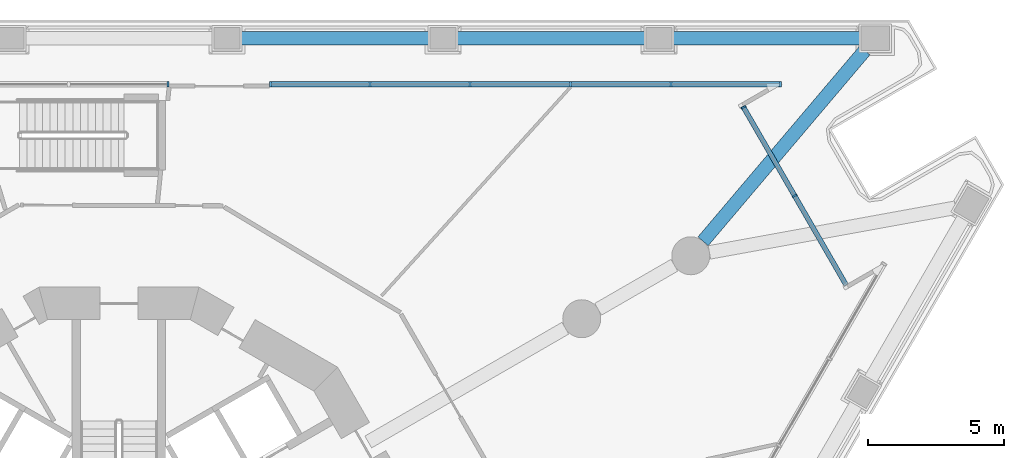
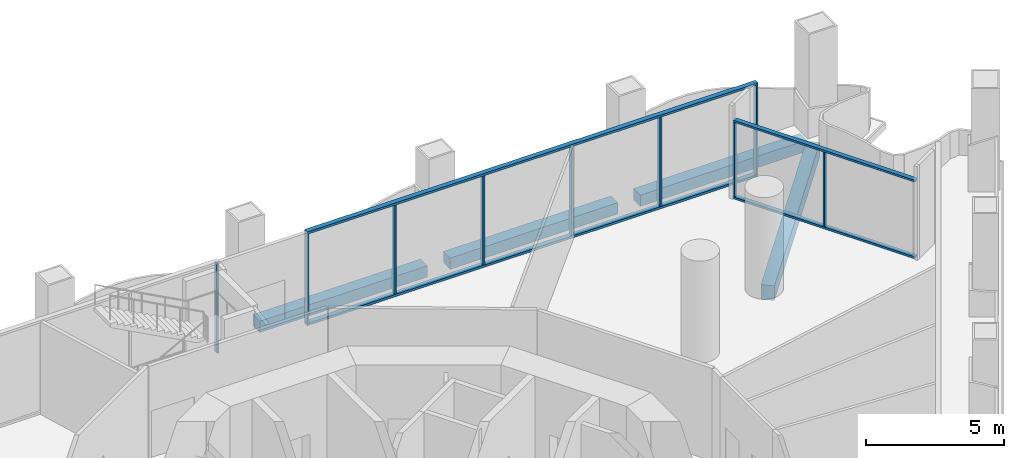
# One storey, part 8 of 22: 13 members, 4 beams, 3 elements without a shape of their own.
"""IFC4 building model written with IfcOpenShell, lengths in metres."""

from ifc_helpers import new_model, si_unit, direction, frame, origin, origin_2d, place, context, subcontext, project, spatial, rectangle, extrude, material, layer, layer_set, material_profile, profile_set, type_object, element, aggregate, save


model = new_model("IFC4")

# Units and contexts
model_context = context("Model", 3, precision=1e-05, world=origin(), true_north=direction((0.0, 1.0)))
body_context = subcontext(model_context, "Body", "Model", "MODEL_VIEW")
ifc_project = project(units=[si_unit("LENGTHUNIT", "METRE"), si_unit("AREAUNIT", "SQUARE_METRE"), si_unit("VOLUMEUNIT", "CUBIC_METRE"), si_unit("PLANEANGLEUNIT", "RADIAN"), si_unit("MASSUNIT", "GRAM", prefix="KILO")], contexts=[model_context])

# Site, building, storey
site_placement = place(None, origin())
site = spatial("IfcSite", under=ifc_project, at=site_placement, CompositionType="ELEMENT")
building_placement = place(site_placement, origin())
building = spatial("IfcBuilding", under=site, at=building_placement, Name="Trine Commons Tower", CompositionType="ELEMENT")
storey_placement = place(building_placement, frame((0.0, 0.0, 22.5)))
storey = spatial("IfcBuildingStorey", under=building, at=storey_placement, Name="L04", CompositionType="ELEMENT", Elevation=22.5)

# Curtain wall, members
ifc_material_1 = material(Name="Corner pocket glazing: anodised aluminium frame with low-emissivity double glazed unit, laminated", Category="aluminium")
ifc_layer_1 = layer(ifc_material_1, 0.179931640625)
ifc_layer_set_1 = layer_set([ifc_layer_1], Name="Corner pocket glazing: anodised aluminium frame with low-emissivity double glazed unit, laminated")
curtain_wall_type_1 = type_object("IfcCurtainWallType", Name="Corner pocket glazing curtain wall CW8", PredefinedType="NOTDEFINED", material=ifc_layer_set_1)
curtain_wall_1_placement = place(storey_placement, origin())
curtain_wall_1 = element("IfcCurtainWall", 1, at=curtain_wall_1_placement, inside=storey, type_object=curtain_wall_type_1, Name="Corner pocket glazing L04 P2.1", PredefinedType="NOTDEFINED")
ifc_material_2 = material(Name="Anodised aluminium, bronze finish", Category="aluminium")
ifc_material_profile_1 = material_profile(ifc_material_2, rectangle(XDim=0.179931640625, YDim=0.06494140625, at=origin_2d()), Name="Mullion 65x180")
ifc_profile_set_1 = profile_set([ifc_material_profile_1], Name="Anodised aluminium, bronze finish")
member_type_1 = type_object("IfcMemberType", Name="Mullion 65x180, Anodised aluminium, bronze finish", PredefinedType="MULLION", material=ifc_profile_set_1)
member_1_placement = place(storey_placement, frame((103.0224609375, 80.142333984375, 0.090087890625), z_axis=(0.0, 0.0, 1.0), x_axis=(0.866025403784, 0.5, 0.0)))
member_1 = element("IfcMember", 2, at=member_1_placement, type_object=member_type_1, Name="CW8 mullion 1.1", PredefinedType="MULLION", context=body_context, shape_type="SweptSolid", body=[
    extrude(rectangle(XDim=0.179931640625, YDim=0.06494140625, at=origin_2d()), origin(), (0.0, 0.0, 1.0), 3.2998046875),
])
member_2_placement = place(storey_placement, frame((104.90625, 76.879638671875, 0.090087890625), z_axis=(0.0, 0.0, 1.0), x_axis=(0.866025403784, 0.5, 0.0)))
member_2 = element("IfcMember", 3, at=member_2_placement, type_object=member_type_1, Name="CW8 mullion 2.1", PredefinedType="MULLION", context=body_context, shape_type="SweptSolid", body=[
    extrude(rectangle(XDim=0.179931640625, YDim=0.06494140625, at=origin_2d()), origin(), (0.0, 0.0, 1.0), 3.2998046875),
])

# Curtain wall, member
ifc_material_3 = material(Name="Podium glazing: anodised aluminium frame with low-emissivity double glazed unit", Category="aluminium")
ifc_layer_2 = layer(ifc_material_3, 0.199951171875)
ifc_layer_set_2 = layer_set([ifc_layer_2], Name="Podium glazing: anodised aluminium frame with low-emissivity double glazed unit")
curtain_wall_type_2 = type_object("IfcCurtainWallType", Name="Podium glazing curtain wall CW3", PredefinedType="NOTDEFINED", material=ifc_layer_set_2)
curtain_wall_2_placement = place(storey_placement, origin())
curtain_wall_2 = element("IfcCurtainWall", 4, at=curtain_wall_2_placement, inside=storey, type_object=curtain_wall_type_2, Name="Podium glazing L04 F1.1", PredefinedType="NOTDEFINED")
ifc_material_profile_2 = material_profile(ifc_material_2, rectangle(XDim=0.199951171875, YDim=0.074951171875, at=origin_2d()), Name="Mullion 75x200")
ifc_profile_set_2 = profile_set([ifc_material_profile_2], Name="Anodised aluminium, bronze finish")
member_type_2 = type_object("IfcMemberType", Name="Mullion 75x200, Anodised aluminium, bronze finish", PredefinedType="MULLION", material=ifc_profile_set_2)
member_3_placement = place(storey_placement, frame((81.811767578125, 80.984619140625, 0.10009765625), z_axis=(0.0, 0.0, 1.0), x_axis=(0.0, 1.0, 0.0)))
member_3 = element("IfcMember", 5, at=member_3_placement, type_object=member_type_2, Name="CW3 mullion 8.1", PredefinedType="MULLION", context=body_context, shape_type="SweptSolid", body=[
    extrude(rectangle(XDim=0.199951171875, YDim=0.074951171875, at=origin_2d()), origin(), (0.0, 0.0, 1.0), 3.949951171875),
])
aggregate(curtain_wall_2, [member_3])

# Curtain wall, members
curtain_wall_3_placement = place(storey_placement, origin())
curtain_wall_3 = element("IfcCurtainWall", 6, at=curtain_wall_3_placement, inside=storey, type_object=curtain_wall_type_2, Name="Podium glazing L04 F1.2", PredefinedType="NOTDEFINED")
member_4_placement = place(storey_placement, frame((85.585693359375, 80.984619140625, 0.10009765625), z_axis=(0.0, 0.0, 1.0), x_axis=(0.0, 1.0, 0.0)))
member_4 = element("IfcMember", 7, at=member_4_placement, type_object=member_type_2, Name="CW3 mullion 1.1", PredefinedType="MULLION", context=body_context, shape_type="SweptSolid", body=[
    extrude(rectangle(XDim=0.199951171875, YDim=0.074951171875, at=origin_2d()), origin(), (0.0, 0.0, 1.0), 3.949951171875),
])
member_5_placement = place(storey_placement, frame((89.2470703125, 80.984619140625, 0.10009765625), z_axis=(0.0, 0.0, 1.0), x_axis=(0.0, 1.0, 0.0)))
member_5 = element("IfcMember", 8, at=member_5_placement, type_object=member_type_2, Name="CW3 mullion 2.1", PredefinedType="MULLION", context=body_context, shape_type="SweptSolid", body=[
    extrude(rectangle(XDim=0.199951171875, YDim=0.074951171875, at=origin_2d()), origin(), (0.0, 0.0, 1.0), 3.949951171875),
])
member_6_placement = place(storey_placement, frame((92.94580078125, 80.984619140625, 0.10009765625), z_axis=(0.0, 0.0, 1.0), x_axis=(0.0, 1.0, 0.0)))
member_6 = element("IfcMember", 9, at=member_6_placement, type_object=member_type_2, Name="CW3 mullion 3.1", PredefinedType="MULLION", context=body_context, shape_type="SweptSolid", body=[
    extrude(rectangle(XDim=0.199951171875, YDim=0.074951171875, at=origin_2d()), origin(), (0.0, 0.0, 1.0), 3.949951171875),
])
member_7_placement = place(storey_placement, frame((96.644775390625, 80.984619140625, 0.10009765625), z_axis=(0.0, 0.0, 1.0), x_axis=(0.0, 1.0, 0.0)))
member_7 = element("IfcMember", 10, at=member_7_placement, type_object=member_type_2, Name="CW3 mullion 4.1", PredefinedType="MULLION", context=body_context, shape_type="SweptSolid", body=[
    extrude(rectangle(XDim=0.199951171875, YDim=0.074951171875, at=origin_2d()), origin(), (0.0, 0.0, 1.0), 3.949951171875),
])
member_8_placement = place(storey_placement, frame((100.34375, 80.984619140625, 0.10009765625), z_axis=(0.0, 0.0, 1.0), x_axis=(0.0, 1.0, 0.0)))
member_8 = element("IfcMember", 11, at=member_8_placement, type_object=member_type_2, Name="CW3 mullion 5.1", PredefinedType="MULLION", context=body_context, shape_type="SweptSolid", body=[
    extrude(rectangle(XDim=0.199951171875, YDim=0.074951171875, at=origin_2d()), origin(), (0.0, 0.0, 1.0), 3.949951171875),
])
member_9_placement = place(storey_placement, frame((104.37890625, 80.984619140625, 0.10009765625), z_axis=(0.0, 0.0, 1.0), x_axis=(0.0, 1.0, 0.0)))
member_9 = element("IfcMember", 12, at=member_9_placement, type_object=member_type_2, Name="CW3 mullion 6.1", PredefinedType="MULLION", context=body_context, shape_type="SweptSolid", body=[
    extrude(rectangle(XDim=0.199951171875, YDim=0.074951171875, at=origin_2d()), origin(), (0.0, 0.0, 1.0), 3.949951171875),
])

# Beams
ifc_material_4 = material(Name="Concrete C50/60", Category="concrete")
ifc_material_profile_3 = material_profile(ifc_material_4, rectangle(XDim=0.5, YDim=0.5, at=origin_2d()), Name="RC 500x500")
ifc_profile_set_3 = profile_set([ifc_material_profile_3], Name="Concrete C50/60")
beam_type_1 = type_object("IfcBeamType", Name="RC beam 500x500, C50/60", PredefinedType="BEAM", material=ifc_profile_set_3)
beam_1_placement = place(storey_placement, frame((84.456787109375, 82.6845703125, -0.60009765625), z_axis=(1.0, 0.0, 0.0), x_axis=(0.0, 1.0, 0.0)))
element("IfcBeam", 13, at=beam_1_placement, inside=storey, type_object=beam_type_1, Name="Beam EB1-12 L04", PredefinedType="BEAM", context=body_context, shape_type="SweptSolid", body=[
    extrude(rectangle(XDim=0.5, YDim=0.5, at=origin_2d()), origin(), (0.0, 0.0, 1.0), 7.013427734375),
])
beam_2_placement = place(storey_placement, frame((92.420166015625, 82.6845703125, -0.60009765625), z_axis=(1.0, 0.0, 0.0), x_axis=(0.0, 1.0, 0.0)))
element("IfcBeam", 14, at=beam_2_placement, inside=storey, type_object=beam_type_1, Name="Beam EB1-13 L04", PredefinedType="BEAM", context=body_context, shape_type="SweptSolid", body=[
    extrude(rectangle(XDim=0.5, YDim=0.5, at=origin_2d()), origin(), (0.0, 0.0, 1.0), 7.01318359375),
])
beam_3_placement = place(storey_placement, frame((100.38330078125, 82.6845703125, -0.60009765625), z_axis=(1.0, 0.0, 0.0), x_axis=(0.0, 1.0, 0.0)))
element("IfcBeam", 15, at=beam_3_placement, inside=storey, type_object=beam_type_1, Name="Beam EB1-14 L04", PredefinedType="BEAM", context=body_context, shape_type="SweptSolid", body=[
    extrude(rectangle(XDim=0.5, YDim=0.5, at=origin_2d()), origin(), (0.0, 0.0, 1.0), 6.96337890625),
])
ifc_material_profile_4 = material_profile(ifc_material_4, rectangle(XDim=0.5, YDim=0.64990234375, at=origin_2d()), Name="RC 500x650")
ifc_profile_set_4 = profile_set([ifc_material_profile_4], Name="Concrete C50/60")
beam_type_2 = type_object("IfcBeamType", Name="RC beam 500x650, C50/60", PredefinedType="BEAM", material=ifc_profile_set_4)
beam_4_placement = place(storey_placement, frame((107.490478515625, 82.234619140625, -0.675048828125), z_axis=(-0.646611559024, -0.762819435867, 0.0), x_axis=(0.762819435867, -0.646611559024, 0.0)))
element("IfcBeam", 16, at=beam_4_placement, inside=storey, type_object=beam_type_2, Name="Beam CB1-03 L04", PredefinedType="BEAM", context=body_context, shape_type="SweptSolid", body=[
    extrude(rectangle(XDim=0.5, YDim=0.64990234375, at=origin_2d()), origin(), (0.0, 0.0, 1.0), 9.21875),
])

# Member
ifc_material_profile_5 = material_profile(ifc_material_2, rectangle(XDim=0.199951171875, YDim=0.10009765625, at=origin_2d()), Name="Transom 100x200")
ifc_profile_set_5 = profile_set([ifc_material_profile_5], Name="Anodised aluminium, bronze finish")
member_type_3 = type_object("IfcMemberType", Name="Transom 100x200, Anodised aluminium, bronze finish", PredefinedType="USERDEFINED", material=ifc_profile_set_5)
member_10_placement = place(storey_placement, frame((85.548095703125, 80.984619140625, 0.050048828125), z_axis=(1.0, 0.0, 0.0), x_axis=(0.0, 1.0, 0.0)))
member_10 = element("IfcMember", 17, at=member_10_placement, type_object=member_type_3, Name="CW3 transom T00", ObjectType="TRANSOM", PredefinedType="USERDEFINED", context=body_context, shape_type="SweptSolid", body=[
    extrude(rectangle(XDim=0.199951171875, YDim=0.10009765625, at=origin_2d()), origin(), (0.0, 0.0, 1.0), 18.8681640625),
])

member_11_placement = place(storey_placement, frame((85.548095703125, 80.984619140625, 4.10009765625), z_axis=(1.0, 0.0, 0.0), x_axis=(0.0, 1.0, 0.0)))
member_11 = element("IfcMember", 18, at=member_11_placement, type_object=member_type_3, Name="CW3 transom TH00", ObjectType="TRANSOM", PredefinedType="USERDEFINED", context=body_context, shape_type="SweptSolid", body=[
    extrude(rectangle(XDim=0.199951171875, YDim=0.10009765625, at=origin_2d()), origin(), (0.0, 0.0, 1.0), 18.8681640625),
])

aggregate(curtain_wall_3, [member_10, member_11, member_4, member_5, member_6, member_7, member_8, member_9])

ifc_material_profile_6 = material_profile(ifc_material_2, rectangle(XDim=0.179931640625, YDim=0.090087890625, at=origin_2d()), Name="Transom 90x180")
ifc_profile_set_6 = profile_set([ifc_material_profile_6], Name="Anodised aluminium, bronze finish")
member_type_4 = type_object("IfcMemberType", Name="Transom 90x180, Anodised aluminium, bronze finish", PredefinedType="USERDEFINED", material=ifc_profile_set_6)
member_12_placement = place(storey_placement, frame((103.006103515625, 80.17041015625, 0.044921875), z_axis=(0.500005158081, -0.866022425744, 0.0), x_axis=(0.866022425744, 0.500005158081, 0.0)))
member_12 = element("IfcMember", 19, at=member_12_placement, type_object=member_type_4, Name="CW8 transom T00", ObjectType="TRANSOM", PredefinedType="USERDEFINED", context=body_context, shape_type="SweptSolid", body=[
    extrude(rectangle(XDim=0.179931640625, YDim=0.090087890625, at=origin_2d()), origin(), (0.0, 0.0, 1.0), 7.60009765625),
])

member_13_placement = place(storey_placement, frame((103.006103515625, 80.17041015625, 3.43505859375), z_axis=(0.500005158081, -0.866022425744, 0.0), x_axis=(0.866022425744, 0.500005158081, 0.0)))
member_13 = element("IfcMember", 20, at=member_13_placement, type_object=member_type_4, Name="CW8 transom TH00", ObjectType="TRANSOM", PredefinedType="USERDEFINED", context=body_context, shape_type="SweptSolid", body=[
    extrude(rectangle(XDim=0.179931640625, YDim=0.090087890625, at=origin_2d()), origin(), (0.0, 0.0, 1.0), 7.60009765625),
])

aggregate(curtain_wall_1, [member_12, member_13, member_1, member_2])

save(model, "model.ifc")
